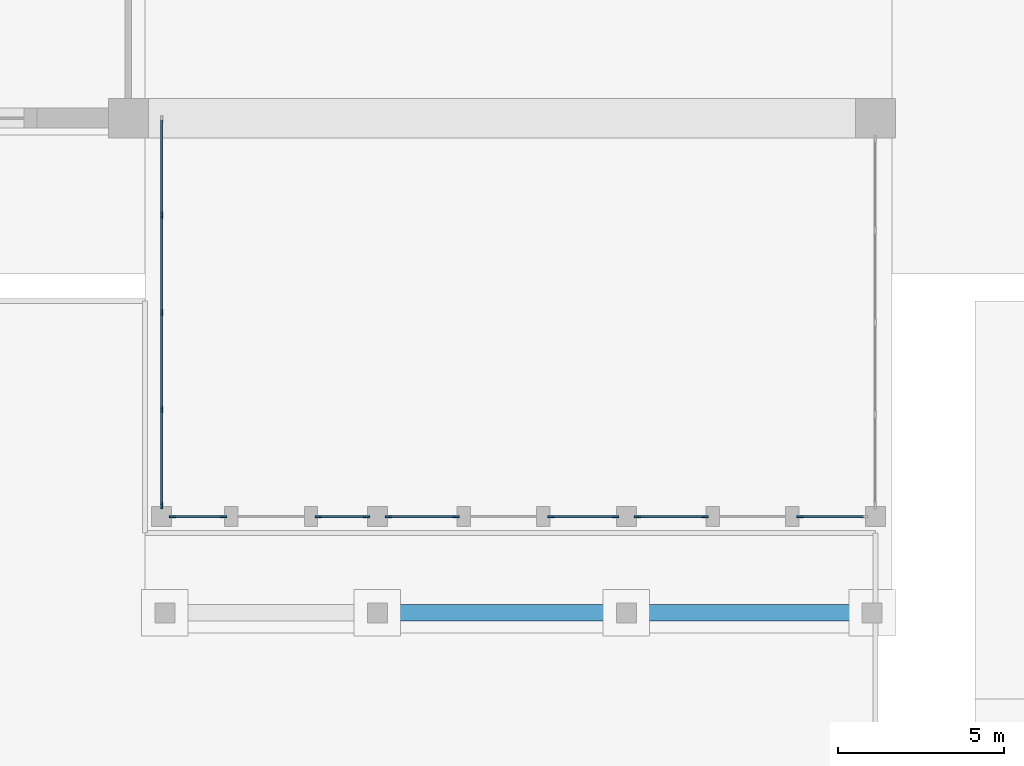
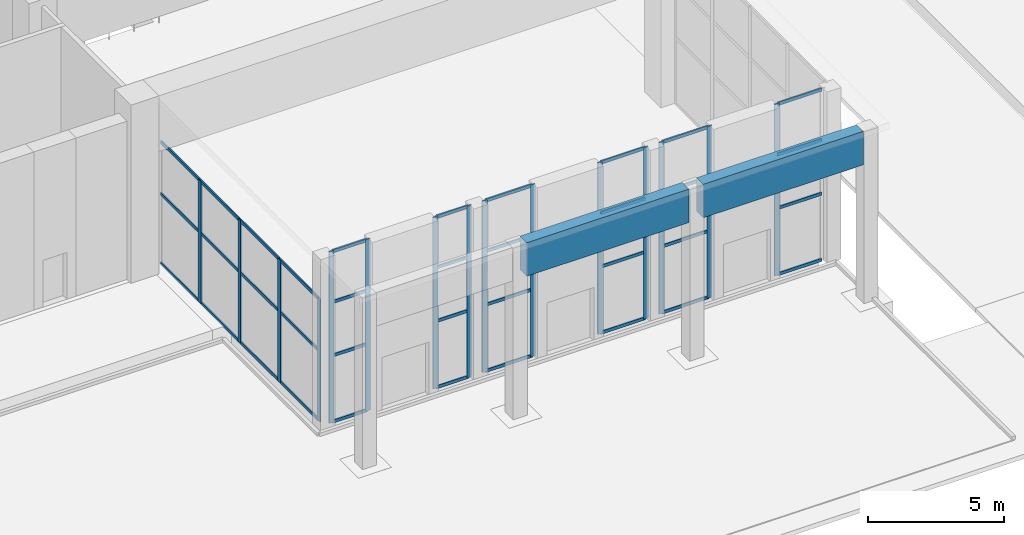
# One storey, part 8 of 57: 51 members, 2 beams, 7 elements without a shape of their own.
"""IFC4 building model written with IfcOpenShell, lengths in metres."""

from ifc_helpers import new_model, si_unit, direction, frame, origin, origin_2d, place, context, subcontext, project, spatial, rectangle, extrude, material, layer, layer_set, material_profile, profile_set, type_object, element, aggregate, save


model = new_model("IFC4")

# Units and contexts
model_context = context("Model", 3, precision=1e-05, world=origin(), true_north=direction((0.0, 1.0)))
body_context = subcontext(model_context, "Body", "Model", "MODEL_VIEW")
ifc_project = project(units=[si_unit("LENGTHUNIT", "METRE"), si_unit("AREAUNIT", "SQUARE_METRE"), si_unit("VOLUMEUNIT", "CUBIC_METRE"), si_unit("PLANEANGLEUNIT", "RADIAN"), si_unit("MASSUNIT", "GRAM", prefix="KILO")], contexts=[model_context])

# Site, building, storey
site_placement = place(None, origin())
site = spatial("IfcSite", under=ifc_project, at=site_placement, CompositionType="ELEMENT")
building_placement = place(site_placement, origin())
building = spatial("IfcBuilding", under=site, at=building_placement, Name="Tamorin Gate", CompositionType="ELEMENT")
storey_placement = place(building_placement, origin())
storey = spatial("IfcBuildingStorey", under=building, at=storey_placement, Name="L00", CompositionType="ELEMENT", Elevation=0.0)

# Curtain wall, members
ifc_material_1 = material(Name="Aluminium and glass", Category="aluminium")
ifc_layer = layer(ifc_material_1, 0.199951171875)
ifc_layer_set = layer_set([ifc_layer], Name="Station pavilion glazing system")
curtain_wall_type = type_object("IfcCurtainWallType", Name="Station pavilion glazing system", PredefinedType="NOTDEFINED", material=ifc_layer_set)
curtain_wall_1_placement = place(storey_placement, origin())
curtain_wall_1 = element("IfcCurtainWall", 1, at=curtain_wall_1_placement, inside=storey, type_object=curtain_wall_type, Name="Station pavilion glazing system L00", PredefinedType="NOTDEFINED")
ifc_material_2 = material(Name="Aluminium", Category="aluminium")
ifc_material_profile_1 = material_profile(ifc_material_2, rectangle(XDim=0.06005859375, YDim=0.199951171875, at=origin_2d()), Name="RECT 60x200")
ifc_profile_set_1 = profile_set([ifc_material_profile_1], Name="Aluminium")
member_type_1 = type_object("IfcMemberType", Name="Pavilion mullion 60x200", PredefinedType="MULLION", material=ifc_profile_set_1)
member_1_placement = place(storey_placement, frame((90.830078125, 18.5, 0.0), z_axis=(0.0, 0.0, 1.0), x_axis=(0.0, 1.0, 0.0)))
member_1 = element("IfcMember", 2, at=member_1_placement, type_object=member_type_1, Name="CWP12 mullion 1", PredefinedType="MULLION", context=body_context, shape_type="SweptSolid", body=[
    extrude(rectangle(XDim=0.06005859375, YDim=0.199951171875, at=origin_2d()), origin(), (0.0, 0.0, 1.0), 7.699951171875),
])
member_2_placement = place(storey_placement, frame((92.3701171875, 18.5, 0.0), z_axis=(0.0, 0.0, 1.0), x_axis=(0.0, 1.0, 0.0)))
member_2 = element("IfcMember", 3, at=member_2_placement, type_object=member_type_1, Name="CWP12 mullion 2", PredefinedType="MULLION", context=body_context, shape_type="SweptSolid", body=[
    extrude(rectangle(XDim=0.06005859375, YDim=0.199951171875, at=origin_2d()), origin(), (0.0, 0.0, 1.0), 7.699951171875),
])

curtain_wall_2_placement = place(storey_placement, origin())
curtain_wall_2 = element("IfcCurtainWall", 4, at=curtain_wall_2_placement, inside=storey, type_object=curtain_wall_type, Name="Station pavilion glazing system L00", PredefinedType="NOTDEFINED")
member_3_placement = place(storey_placement, frame((95.22998046875, 18.5, 0.0), z_axis=(0.0, 0.0, 1.0), x_axis=(0.0, 1.0, 0.0)))
member_3 = element("IfcMember", 5, at=member_3_placement, type_object=member_type_1, Name="CWP12 mullion 1", PredefinedType="MULLION", context=body_context, shape_type="SweptSolid", body=[
    extrude(rectangle(XDim=0.06005859375, YDim=0.199951171875, at=origin_2d()), origin(), (0.0, 0.0, 1.0), 7.699951171875),
])
member_4_placement = place(storey_placement, frame((96.669921875, 18.5, 0.0), z_axis=(0.0, 0.0, 1.0), x_axis=(0.0, 1.0, 0.0)))
member_4 = element("IfcMember", 6, at=member_4_placement, type_object=member_type_1, Name="CWP12 mullion 2", PredefinedType="MULLION", context=body_context, shape_type="SweptSolid", body=[
    extrude(rectangle(XDim=0.06005859375, YDim=0.199951171875, at=origin_2d()), origin(), (0.0, 0.0, 1.0), 7.699951171875),
])

curtain_wall_3_placement = place(storey_placement, origin())
curtain_wall_3 = element("IfcCurtainWall", 7, at=curtain_wall_3_placement, inside=storey, type_object=curtain_wall_type, Name="Station pavilion glazing system L00", PredefinedType="NOTDEFINED")
member_5_placement = place(storey_placement, frame((97.330078125, 18.5, 0.0), z_axis=(0.0, 0.0, 1.0), x_axis=(0.0, 1.0, 0.0)))
member_5 = element("IfcMember", 8, at=member_5_placement, type_object=member_type_1, Name="CWP12 mullion 1", PredefinedType="MULLION", context=body_context, shape_type="SweptSolid", body=[
    extrude(rectangle(XDim=0.06005859375, YDim=0.199951171875, at=origin_2d()), origin(), (0.0, 0.0, 1.0), 7.699951171875),
])
member_6_placement = place(storey_placement, frame((99.3701171875, 18.5, 0.0), z_axis=(0.0, 0.0, 1.0), x_axis=(0.0, 1.0, 0.0)))
member_6 = element("IfcMember", 9, at=member_6_placement, type_object=member_type_1, Name="CWP12 mullion 2", PredefinedType="MULLION", context=body_context, shape_type="SweptSolid", body=[
    extrude(rectangle(XDim=0.06005859375, YDim=0.199951171875, at=origin_2d()), origin(), (0.0, 0.0, 1.0), 7.699951171875),
])

curtain_wall_4_placement = place(storey_placement, origin())
curtain_wall_4 = element("IfcCurtainWall", 10, at=curtain_wall_4_placement, inside=storey, type_object=curtain_wall_type, Name="Station pavilion glazing system L00", PredefinedType="NOTDEFINED")
member_7_placement = place(storey_placement, frame((102.22998046875, 18.5, 0.0), z_axis=(0.0, 0.0, 1.0), x_axis=(0.0, 1.0, 0.0)))
member_7 = element("IfcMember", 11, at=member_7_placement, type_object=member_type_1, Name="CWP12 mullion 1", PredefinedType="MULLION", context=body_context, shape_type="SweptSolid", body=[
    extrude(rectangle(XDim=0.06005859375, YDim=0.199951171875, at=origin_2d()), origin(), (0.0, 0.0, 1.0), 7.699951171875),
])
member_8_placement = place(storey_placement, frame((104.169921875, 18.5, 0.0), z_axis=(0.0, 0.0, 1.0), x_axis=(0.0, 1.0, 0.0)))
member_8 = element("IfcMember", 12, at=member_8_placement, type_object=member_type_1, Name="CWP12 mullion 2", PredefinedType="MULLION", context=body_context, shape_type="SweptSolid", body=[
    extrude(rectangle(XDim=0.06005859375, YDim=0.199951171875, at=origin_2d()), origin(), (0.0, 0.0, 1.0), 7.699951171875),
])

curtain_wall_5_placement = place(storey_placement, origin())
curtain_wall_5 = element("IfcCurtainWall", 13, at=curtain_wall_5_placement, inside=storey, type_object=curtain_wall_type, Name="Station pavilion glazing system L00", PredefinedType="NOTDEFINED")
member_9_placement = place(storey_placement, frame((104.830078125, 18.5, 0.0), z_axis=(0.0, 0.0, 1.0), x_axis=(0.0, 1.0, 0.0)))
member_9 = element("IfcMember", 14, at=member_9_placement, type_object=member_type_1, Name="CWP12 mullion 1", PredefinedType="MULLION", context=body_context, shape_type="SweptSolid", body=[
    extrude(rectangle(XDim=0.06005859375, YDim=0.199951171875, at=origin_2d()), origin(), (0.0, 0.0, 1.0), 7.699951171875),
])
member_10_placement = place(storey_placement, frame((106.8701171875, 18.5, 0.0), z_axis=(0.0, 0.0, 1.0), x_axis=(0.0, 1.0, 0.0)))
member_10 = element("IfcMember", 15, at=member_10_placement, type_object=member_type_1, Name="CWP12 mullion 2", PredefinedType="MULLION", context=body_context, shape_type="SweptSolid", body=[
    extrude(rectangle(XDim=0.06005859375, YDim=0.199951171875, at=origin_2d()), origin(), (0.0, 0.0, 1.0), 7.699951171875),
])

# Curtain wall, member
curtain_wall_6_placement = place(storey_placement, origin())
curtain_wall_6 = element("IfcCurtainWall", 16, at=curtain_wall_6_placement, inside=storey, type_object=curtain_wall_type, Name="Station pavilion glazing system L00", PredefinedType="NOTDEFINED")
member_11_placement = place(storey_placement, frame((109.72998046875, 18.5, 0.0), z_axis=(0.0, 0.0, 1.0), x_axis=(0.0, 1.0, 0.0)))
member_11 = element("IfcMember", 17, at=member_11_placement, type_object=member_type_1, Name="CWP12 mullion 1", PredefinedType="MULLION", context=body_context, shape_type="SweptSolid", body=[
    extrude(rectangle(XDim=0.06005859375, YDim=0.199951171875, at=origin_2d()), origin(), (0.0, 0.0, 1.0), 7.699951171875),
])

# Curtain wall, members
curtain_wall_7_placement = place(storey_placement, origin())
curtain_wall_7 = element("IfcCurtainWall", 18, at=curtain_wall_7_placement, inside=storey, type_object=curtain_wall_type, Name="Station pavilion glazing system L00", PredefinedType="NOTDEFINED")
member_12_placement = place(storey_placement, frame((90.5, 18.830078125, 0.0), z_axis=(0.0, 0.0, 1.0), x_axis=(-1.0, 0.0, 0.0)))
member_12 = element("IfcMember", 19, at=member_12_placement, type_object=member_type_1, Name="CWP12 mullion 1", PredefinedType="MULLION", context=body_context, shape_type="SweptSolid", body=[
    extrude(rectangle(XDim=0.06005859375, YDim=0.199951171875, at=origin_2d()), origin(), (0.0, 0.0, 1.0), 5.5),
])
member_13_placement = place(storey_placement, frame((90.5, 21.72509765625, 0.0), z_axis=(0.0, 0.0, 1.0), x_axis=(-1.0, 0.0, 0.0)))
member_13 = element("IfcMember", 20, at=member_13_placement, type_object=member_type_1, Name="CWP12 mullion 2", PredefinedType="MULLION", context=body_context, shape_type="SweptSolid", body=[
    extrude(rectangle(XDim=0.06005859375, YDim=0.199951171875, at=origin_2d()), origin(), (0.0, 0.0, 1.0), 5.5),
])
member_14_placement = place(storey_placement, frame((90.5, 24.64990234375, 0.0), z_axis=(0.0, 0.0, 1.0), x_axis=(-1.0, 0.0, 0.0)))
member_14 = element("IfcMember", 21, at=member_14_placement, type_object=member_type_1, Name="CWP12 mullion 3", PredefinedType="MULLION", context=body_context, shape_type="SweptSolid", body=[
    extrude(rectangle(XDim=0.06005859375, YDim=0.199951171875, at=origin_2d()), origin(), (0.0, 0.0, 1.0), 5.5),
])
member_15_placement = place(storey_placement, frame((90.5, 27.574951171875, 0.0), z_axis=(0.0, 0.0, 1.0), x_axis=(-1.0, 0.0, 0.0)))
member_15 = element("IfcMember", 22, at=member_15_placement, type_object=member_type_1, Name="CWP12 mullion 4", PredefinedType="MULLION", context=body_context, shape_type="SweptSolid", body=[
    extrude(rectangle(XDim=0.06005859375, YDim=0.199951171875, at=origin_2d()), origin(), (0.0, 0.0, 1.0), 5.5),
])

# Member
ifc_material_profile_2 = material_profile(ifc_material_2, rectangle(XDim=0.06005859375, YDim=0.139892578125, at=origin_2d()), Name="RECT 60x140")
ifc_profile_set_2 = profile_set([ifc_material_profile_2], Name="Aluminium")
member_type_2 = type_object("IfcMemberType", Name="Pavilion transom 60x140", PredefinedType="USERDEFINED", material=ifc_profile_set_2)
member_16_placement = place(storey_placement, frame((90.860107421875, 18.5, 0.030029296875), z_axis=(1.0, 0.0, 0.0), x_axis=(0.0, 1.0, 0.0)))
member_16 = element("IfcMember", 23, at=member_16_placement, type_object=member_type_2, Name="CWP12 transom 1.1", ObjectType="TRANSOM", PredefinedType="USERDEFINED", context=body_context, shape_type="SweptSolid", body=[
    extrude(rectangle(XDim=0.06005859375, YDim=0.139892578125, at=origin_2d()), origin(), (0.0, 0.0, 1.0), 1.47998046875),
])

member_17_placement = place(storey_placement, frame((90.860107421875, 18.5, 3.0), z_axis=(1.0, 0.0, 0.0), x_axis=(0.0, 1.0, 0.0)))
member_17 = element("IfcMember", 24, at=member_17_placement, type_object=member_type_2, Name="CWP12 transom 1.2", ObjectType="TRANSOM", PredefinedType="USERDEFINED", context=body_context, shape_type="SweptSolid", body=[
    extrude(rectangle(XDim=0.06005859375, YDim=0.139892578125, at=origin_2d()), origin(), (0.0, 0.0, 1.0), 1.47998046875),
])

member_18_placement = place(storey_placement, frame((90.860107421875, 18.5, 5.39990234375), z_axis=(1.0, 0.0, 0.0), x_axis=(0.0, 1.0, 0.0)))
member_18 = element("IfcMember", 25, at=member_18_placement, type_object=member_type_2, Name="CWP12 transom 1.3", ObjectType="TRANSOM", PredefinedType="USERDEFINED", context=body_context, shape_type="SweptSolid", body=[
    extrude(rectangle(XDim=0.06005859375, YDim=0.139892578125, at=origin_2d()), origin(), (0.0, 0.0, 1.0), 1.47998046875),
])

member_19_placement = place(storey_placement, frame((90.860107421875, 18.5, 7.669921875), z_axis=(1.0, 0.0, 0.0), x_axis=(0.0, 1.0, 0.0)))
member_19 = element("IfcMember", 26, at=member_19_placement, type_object=member_type_2, Name="CWP12 transom 1.4", ObjectType="TRANSOM", PredefinedType="USERDEFINED", context=body_context, shape_type="SweptSolid", body=[
    extrude(rectangle(XDim=0.06005859375, YDim=0.139892578125, at=origin_2d()), origin(), (0.0, 0.0, 1.0), 1.47998046875),
])

aggregate(curtain_wall_1, [member_1, member_2, member_16, member_17, member_18, member_19])

member_20_placement = place(storey_placement, frame((95.260009765625, 18.5, 0.030029296875), z_axis=(1.0, 0.0, 0.0), x_axis=(0.0, 1.0, 0.0)))
member_20 = element("IfcMember", 27, at=member_20_placement, type_object=member_type_2, Name="CWP12 transom 1.1", ObjectType="TRANSOM", PredefinedType="USERDEFINED", context=body_context, shape_type="SweptSolid", body=[
    extrude(rectangle(XDim=0.06005859375, YDim=0.139892578125, at=origin_2d()), origin(), (0.0, 0.0, 1.0), 1.3798828125),
])

member_21_placement = place(storey_placement, frame((95.260009765625, 18.5, 3.0), z_axis=(1.0, 0.0, 0.0), x_axis=(0.0, 1.0, 0.0)))
member_21 = element("IfcMember", 28, at=member_21_placement, type_object=member_type_2, Name="CWP12 transom 1.2", ObjectType="TRANSOM", PredefinedType="USERDEFINED", context=body_context, shape_type="SweptSolid", body=[
    extrude(rectangle(XDim=0.06005859375, YDim=0.139892578125, at=origin_2d()), origin(), (0.0, 0.0, 1.0), 1.3798828125),
])

member_22_placement = place(storey_placement, frame((95.260009765625, 18.5, 5.39990234375), z_axis=(1.0, 0.0, 0.0), x_axis=(0.0, 1.0, 0.0)))
member_22 = element("IfcMember", 29, at=member_22_placement, type_object=member_type_2, Name="CWP12 transom 1.3", ObjectType="TRANSOM", PredefinedType="USERDEFINED", context=body_context, shape_type="SweptSolid", body=[
    extrude(rectangle(XDim=0.06005859375, YDim=0.139892578125, at=origin_2d()), origin(), (0.0, 0.0, 1.0), 1.3798828125),
])

member_23_placement = place(storey_placement, frame((95.260009765625, 18.5, 7.669921875), z_axis=(1.0, 0.0, 0.0), x_axis=(0.0, 1.0, 0.0)))
member_23 = element("IfcMember", 30, at=member_23_placement, type_object=member_type_2, Name="CWP12 transom 1.4", ObjectType="TRANSOM", PredefinedType="USERDEFINED", context=body_context, shape_type="SweptSolid", body=[
    extrude(rectangle(XDim=0.06005859375, YDim=0.139892578125, at=origin_2d()), origin(), (0.0, 0.0, 1.0), 1.3798828125),
])

aggregate(curtain_wall_2, [member_3, member_4, member_20, member_21, member_22, member_23])

member_24_placement = place(storey_placement, frame((97.360107421875, 18.5, 0.030029296875), z_axis=(1.0, 0.0, 0.0), x_axis=(0.0, 1.0, 0.0)))
member_24 = element("IfcMember", 31, at=member_24_placement, type_object=member_type_2, Name="CWP12 transom 1.1", ObjectType="TRANSOM", PredefinedType="USERDEFINED", context=body_context, shape_type="SweptSolid", body=[
    extrude(rectangle(XDim=0.06005859375, YDim=0.139892578125, at=origin_2d()), origin(), (0.0, 0.0, 1.0), 1.97998046875),
])

member_25_placement = place(storey_placement, frame((97.360107421875, 18.5, 3.0), z_axis=(1.0, 0.0, 0.0), x_axis=(0.0, 1.0, 0.0)))
member_25 = element("IfcMember", 32, at=member_25_placement, type_object=member_type_2, Name="CWP12 transom 1.2", ObjectType="TRANSOM", PredefinedType="USERDEFINED", context=body_context, shape_type="SweptSolid", body=[
    extrude(rectangle(XDim=0.06005859375, YDim=0.139892578125, at=origin_2d()), origin(), (0.0, 0.0, 1.0), 1.97998046875),
])

member_26_placement = place(storey_placement, frame((97.360107421875, 18.5, 5.39990234375), z_axis=(1.0, 0.0, 0.0), x_axis=(0.0, 1.0, 0.0)))
member_26 = element("IfcMember", 33, at=member_26_placement, type_object=member_type_2, Name="CWP12 transom 1.3", ObjectType="TRANSOM", PredefinedType="USERDEFINED", context=body_context, shape_type="SweptSolid", body=[
    extrude(rectangle(XDim=0.06005859375, YDim=0.139892578125, at=origin_2d()), origin(), (0.0, 0.0, 1.0), 1.97998046875),
])

member_27_placement = place(storey_placement, frame((97.360107421875, 18.5, 7.669921875), z_axis=(1.0, 0.0, 0.0), x_axis=(0.0, 1.0, 0.0)))
member_27 = element("IfcMember", 34, at=member_27_placement, type_object=member_type_2, Name="CWP12 transom 1.4", ObjectType="TRANSOM", PredefinedType="USERDEFINED", context=body_context, shape_type="SweptSolid", body=[
    extrude(rectangle(XDim=0.06005859375, YDim=0.139892578125, at=origin_2d()), origin(), (0.0, 0.0, 1.0), 1.97998046875),
])

aggregate(curtain_wall_3, [member_5, member_6, member_24, member_25, member_26, member_27])

member_28_placement = place(storey_placement, frame((102.260009765625, 18.5, 0.030029296875), z_axis=(1.0, 0.0, 0.0), x_axis=(0.0, 1.0, 0.0)))
member_28 = element("IfcMember", 35, at=member_28_placement, type_object=member_type_2, Name="CWP12 transom 1.1", ObjectType="TRANSOM", PredefinedType="USERDEFINED", context=body_context, shape_type="SweptSolid", body=[
    extrude(rectangle(XDim=0.06005859375, YDim=0.139892578125, at=origin_2d()), origin(), (0.0, 0.0, 1.0), 1.8798828125),
])

member_29_placement = place(storey_placement, frame((102.260009765625, 18.5, 3.0), z_axis=(1.0, 0.0, 0.0), x_axis=(0.0, 1.0, 0.0)))
member_29 = element("IfcMember", 36, at=member_29_placement, type_object=member_type_2, Name="CWP12 transom 1.2", ObjectType="TRANSOM", PredefinedType="USERDEFINED", context=body_context, shape_type="SweptSolid", body=[
    extrude(rectangle(XDim=0.06005859375, YDim=0.139892578125, at=origin_2d()), origin(), (0.0, 0.0, 1.0), 1.8798828125),
])

member_30_placement = place(storey_placement, frame((102.260009765625, 18.5, 5.39990234375), z_axis=(1.0, 0.0, 0.0), x_axis=(0.0, 1.0, 0.0)))
member_30 = element("IfcMember", 37, at=member_30_placement, type_object=member_type_2, Name="CWP12 transom 1.3", ObjectType="TRANSOM", PredefinedType="USERDEFINED", context=body_context, shape_type="SweptSolid", body=[
    extrude(rectangle(XDim=0.06005859375, YDim=0.139892578125, at=origin_2d()), origin(), (0.0, 0.0, 1.0), 1.8798828125),
])

member_31_placement = place(storey_placement, frame((102.260009765625, 18.5, 7.669921875), z_axis=(1.0, 0.0, 0.0), x_axis=(0.0, 1.0, 0.0)))
member_31 = element("IfcMember", 38, at=member_31_placement, type_object=member_type_2, Name="CWP12 transom 1.4", ObjectType="TRANSOM", PredefinedType="USERDEFINED", context=body_context, shape_type="SweptSolid", body=[
    extrude(rectangle(XDim=0.06005859375, YDim=0.139892578125, at=origin_2d()), origin(), (0.0, 0.0, 1.0), 1.8798828125),
])

aggregate(curtain_wall_4, [member_7, member_8, member_28, member_29, member_30, member_31])

member_32_placement = place(storey_placement, frame((104.860107421875, 18.5, 0.030029296875), z_axis=(1.0, 0.0, 0.0), x_axis=(0.0, 1.0, 0.0)))
member_32 = element("IfcMember", 39, at=member_32_placement, type_object=member_type_2, Name="CWP12 transom 1.1", ObjectType="TRANSOM", PredefinedType="USERDEFINED", context=body_context, shape_type="SweptSolid", body=[
    extrude(rectangle(XDim=0.06005859375, YDim=0.139892578125, at=origin_2d()), origin(), (0.0, 0.0, 1.0), 1.97998046875),
])

member_33_placement = place(storey_placement, frame((104.860107421875, 18.5, 3.0), z_axis=(1.0, 0.0, 0.0), x_axis=(0.0, 1.0, 0.0)))
member_33 = element("IfcMember", 40, at=member_33_placement, type_object=member_type_2, Name="CWP12 transom 1.2", ObjectType="TRANSOM", PredefinedType="USERDEFINED", context=body_context, shape_type="SweptSolid", body=[
    extrude(rectangle(XDim=0.06005859375, YDim=0.139892578125, at=origin_2d()), origin(), (0.0, 0.0, 1.0), 1.97998046875),
])

member_34_placement = place(storey_placement, frame((104.860107421875, 18.5, 5.39990234375), z_axis=(1.0, 0.0, 0.0), x_axis=(0.0, 1.0, 0.0)))
member_34 = element("IfcMember", 41, at=member_34_placement, type_object=member_type_2, Name="CWP12 transom 1.3", ObjectType="TRANSOM", PredefinedType="USERDEFINED", context=body_context, shape_type="SweptSolid", body=[
    extrude(rectangle(XDim=0.06005859375, YDim=0.139892578125, at=origin_2d()), origin(), (0.0, 0.0, 1.0), 1.97998046875),
])

member_35_placement = place(storey_placement, frame((104.860107421875, 18.5, 7.669921875), z_axis=(1.0, 0.0, 0.0), x_axis=(0.0, 1.0, 0.0)))
member_35 = element("IfcMember", 42, at=member_35_placement, type_object=member_type_2, Name="CWP12 transom 1.4", ObjectType="TRANSOM", PredefinedType="USERDEFINED", context=body_context, shape_type="SweptSolid", body=[
    extrude(rectangle(XDim=0.06005859375, YDim=0.139892578125, at=origin_2d()), origin(), (0.0, 0.0, 1.0), 1.97998046875),
])

aggregate(curtain_wall_5, [member_9, member_10, member_32, member_33, member_34, member_35])

member_36_placement = place(storey_placement, frame((109.760009765625, 18.5, 0.030029296875), z_axis=(1.0, 0.0, 0.0), x_axis=(0.0, 1.0, 0.0)))
member_36 = element("IfcMember", 43, at=member_36_placement, type_object=member_type_2, Name="CWP12 transom 1.1", ObjectType="TRANSOM", PredefinedType="USERDEFINED", context=body_context, shape_type="SweptSolid", body=[
    extrude(rectangle(XDim=0.06005859375, YDim=0.139892578125, at=origin_2d()), origin(), (0.0, 0.0, 1.0), 1.8798828125),
])

member_37_placement = place(storey_placement, frame((109.760009765625, 18.5, 3.0), z_axis=(1.0, 0.0, 0.0), x_axis=(0.0, 1.0, 0.0)))
member_37 = element("IfcMember", 44, at=member_37_placement, type_object=member_type_2, Name="CWP12 transom 1.2", ObjectType="TRANSOM", PredefinedType="USERDEFINED", context=body_context, shape_type="SweptSolid", body=[
    extrude(rectangle(XDim=0.06005859375, YDim=0.139892578125, at=origin_2d()), origin(), (0.0, 0.0, 1.0), 1.8798828125),
])

member_38_placement = place(storey_placement, frame((109.760009765625, 18.5, 5.39990234375), z_axis=(1.0, 0.0, 0.0), x_axis=(0.0, 1.0, 0.0)))
member_38 = element("IfcMember", 45, at=member_38_placement, type_object=member_type_2, Name="CWP12 transom 1.3", ObjectType="TRANSOM", PredefinedType="USERDEFINED", context=body_context, shape_type="SweptSolid", body=[
    extrude(rectangle(XDim=0.06005859375, YDim=0.139892578125, at=origin_2d()), origin(), (0.0, 0.0, 1.0), 1.8798828125),
])

member_39_placement = place(storey_placement, frame((109.760009765625, 18.5, 7.669921875), z_axis=(1.0, 0.0, 0.0), x_axis=(0.0, 1.0, 0.0)))
member_39 = element("IfcMember", 46, at=member_39_placement, type_object=member_type_2, Name="CWP12 transom 1.4", ObjectType="TRANSOM", PredefinedType="USERDEFINED", context=body_context, shape_type="SweptSolid", body=[
    extrude(rectangle(XDim=0.06005859375, YDim=0.139892578125, at=origin_2d()), origin(), (0.0, 0.0, 1.0), 1.8798828125),
])

aggregate(curtain_wall_6, [member_11, member_36, member_37, member_38, member_39])

member_40_placement = place(storey_placement, frame((90.5, 18.860107421875, 0.030029296875), z_axis=(0.0, 1.0, 0.0), x_axis=(-1.0, 0.0, 0.0)))
member_40 = element("IfcMember", 47, at=member_40_placement, type_object=member_type_2, Name="CWP12 transom 1.1", ObjectType="TRANSOM", PredefinedType="USERDEFINED", context=body_context, shape_type="SweptSolid", body=[
    extrude(rectangle(XDim=0.06005859375, YDim=0.139892578125, at=origin_2d()), origin(), (0.0, 0.0, 1.0), 2.8349609375),
])

member_41_placement = place(storey_placement, frame((90.5, 18.860107421875, 3.14990234375), z_axis=(0.0, 1.0, 0.0), x_axis=(-1.0, 0.0, 0.0)))
member_41 = element("IfcMember", 48, at=member_41_placement, type_object=member_type_2, Name="CWP12 transom 1.2", ObjectType="TRANSOM", PredefinedType="USERDEFINED", context=body_context, shape_type="SweptSolid", body=[
    extrude(rectangle(XDim=0.06005859375, YDim=0.139892578125, at=origin_2d()), origin(), (0.0, 0.0, 1.0), 2.8349609375),
])

member_42_placement = place(storey_placement, frame((90.5, 18.860107421875, 5.469970703125), z_axis=(0.0, 1.0, 0.0), x_axis=(-1.0, 0.0, 0.0)))
member_42 = element("IfcMember", 49, at=member_42_placement, type_object=member_type_2, Name="CWP12 transom 1.3", ObjectType="TRANSOM", PredefinedType="USERDEFINED", context=body_context, shape_type="SweptSolid", body=[
    extrude(rectangle(XDim=0.06005859375, YDim=0.139892578125, at=origin_2d()), origin(), (0.0, 0.0, 1.0), 2.8349609375),
])

member_43_placement = place(storey_placement, frame((90.5, 21.7548828125, 0.030029296875), z_axis=(0.0, 1.0, 0.0), x_axis=(-1.0, 0.0, 0.0)))
member_43 = element("IfcMember", 50, at=member_43_placement, type_object=member_type_2, Name="CWP12 transom 2.1", ObjectType="TRANSOM", PredefinedType="USERDEFINED", context=body_context, shape_type="SweptSolid", body=[
    extrude(rectangle(XDim=0.06005859375, YDim=0.139892578125, at=origin_2d()), origin(), (0.0, 0.0, 1.0), 2.865234375),
])

member_44_placement = place(storey_placement, frame((90.5, 21.7548828125, 3.14990234375), z_axis=(0.0, 1.0, 0.0), x_axis=(-1.0, 0.0, 0.0)))
member_44 = element("IfcMember", 51, at=member_44_placement, type_object=member_type_2, Name="CWP12 transom 2.2", ObjectType="TRANSOM", PredefinedType="USERDEFINED", context=body_context, shape_type="SweptSolid", body=[
    extrude(rectangle(XDim=0.06005859375, YDim=0.139892578125, at=origin_2d()), origin(), (0.0, 0.0, 1.0), 2.865234375),
])

member_45_placement = place(storey_placement, frame((90.5, 21.7548828125, 5.469970703125), z_axis=(0.0, 1.0, 0.0), x_axis=(-1.0, 0.0, 0.0)))
member_45 = element("IfcMember", 52, at=member_45_placement, type_object=member_type_2, Name="CWP12 transom 2.3", ObjectType="TRANSOM", PredefinedType="USERDEFINED", context=body_context, shape_type="SweptSolid", body=[
    extrude(rectangle(XDim=0.06005859375, YDim=0.139892578125, at=origin_2d()), origin(), (0.0, 0.0, 1.0), 2.865234375),
])

member_46_placement = place(storey_placement, frame((90.5, 24.679931640625, 0.030029296875), z_axis=(0.0, 1.0, 0.0), x_axis=(-1.0, 0.0, 0.0)))
member_46 = element("IfcMember", 53, at=member_46_placement, type_object=member_type_2, Name="CWP12 transom 3.1", ObjectType="TRANSOM", PredefinedType="USERDEFINED", context=body_context, shape_type="SweptSolid", body=[
    extrude(rectangle(XDim=0.06005859375, YDim=0.139892578125, at=origin_2d()), origin(), (0.0, 0.0, 1.0), 2.864990234375),
])

member_47_placement = place(storey_placement, frame((90.5, 24.679931640625, 3.14990234375), z_axis=(0.0, 1.0, 0.0), x_axis=(-1.0, 0.0, 0.0)))
member_47 = element("IfcMember", 54, at=member_47_placement, type_object=member_type_2, Name="CWP12 transom 3.2", ObjectType="TRANSOM", PredefinedType="USERDEFINED", context=body_context, shape_type="SweptSolid", body=[
    extrude(rectangle(XDim=0.06005859375, YDim=0.139892578125, at=origin_2d()), origin(), (0.0, 0.0, 1.0), 2.864990234375),
])

member_48_placement = place(storey_placement, frame((90.5, 24.679931640625, 5.469970703125), z_axis=(0.0, 1.0, 0.0), x_axis=(-1.0, 0.0, 0.0)))
member_48 = element("IfcMember", 55, at=member_48_placement, type_object=member_type_2, Name="CWP12 transom 3.3", ObjectType="TRANSOM", PredefinedType="USERDEFINED", context=body_context, shape_type="SweptSolid", body=[
    extrude(rectangle(XDim=0.06005859375, YDim=0.139892578125, at=origin_2d()), origin(), (0.0, 0.0, 1.0), 2.864990234375),
])

member_49_placement = place(storey_placement, frame((90.5, 27.60498046875, 0.030029296875), z_axis=(0.0, 1.0, 0.0), x_axis=(-1.0, 0.0, 0.0)))
member_49 = element("IfcMember", 56, at=member_49_placement, type_object=member_type_2, Name="CWP12 transom 4.1", ObjectType="TRANSOM", PredefinedType="USERDEFINED", context=body_context, shape_type="SweptSolid", body=[
    extrude(rectangle(XDim=0.06005859375, YDim=0.139892578125, at=origin_2d()), origin(), (0.0, 0.0, 1.0), 2.8349609375),
])

member_50_placement = place(storey_placement, frame((90.5, 27.60498046875, 3.14990234375), z_axis=(0.0, 1.0, 0.0), x_axis=(-1.0, 0.0, 0.0)))
member_50 = element("IfcMember", 57, at=member_50_placement, type_object=member_type_2, Name="CWP12 transom 4.2", ObjectType="TRANSOM", PredefinedType="USERDEFINED", context=body_context, shape_type="SweptSolid", body=[
    extrude(rectangle(XDim=0.06005859375, YDim=0.139892578125, at=origin_2d()), origin(), (0.0, 0.0, 1.0), 2.8349609375),
])

member_51_placement = place(storey_placement, frame((90.5, 27.60498046875, 5.469970703125), z_axis=(0.0, 1.0, 0.0), x_axis=(-1.0, 0.0, 0.0)))
member_51 = element("IfcMember", 58, at=member_51_placement, type_object=member_type_2, Name="CWP12 transom 4.3", ObjectType="TRANSOM", PredefinedType="USERDEFINED", context=body_context, shape_type="SweptSolid", body=[
    extrude(rectangle(XDim=0.06005859375, YDim=0.139892578125, at=origin_2d()), origin(), (0.0, 0.0, 1.0), 2.8349609375),
])

aggregate(curtain_wall_7, [member_12, member_13, member_14, member_15, member_40, member_41, member_42, member_43, member_44, member_45, member_46, member_47, member_48, member_49, member_50, member_51])

# Beams
ifc_material_3 = material(Name="Precast concrete C40/50", Category="concrete")
ifc_material_profile_3 = material_profile(ifc_material_3, rectangle(XDim=0.5, YDim=1.5, at=origin_2d()), Name="RC 500x1500")
ifc_profile_set_3 = profile_set([ifc_material_profile_3], Name="Precast concrete C40/50")
beam_type = type_object("IfcBeamType", Name="Portal band beam 500x1500", PredefinedType="BEAM", material=ifc_profile_set_3)
beam_1_placement = place(storey_placement, frame((97.300048828125, 15.60009765625, 6.949951171875), z_axis=(1.0, 0.0, 0.0), x_axis=(0.0, 1.0, 0.0)))
element("IfcBeam", 59, at=beam_1_placement, inside=storey, type_object=beam_type, Name="Station entrance band", PredefinedType="BEAM", context=body_context, shape_type="SweptSolid", body=[
    extrude(rectangle(XDim=0.5, YDim=1.5, at=origin_2d()), origin(), (0.0, 0.0, 1.0), 6.89990234375),
])
beam_2_placement = place(storey_placement, frame((104.800048828125, 15.60009765625, 6.949951171875), z_axis=(1.0, 0.0, 0.0), x_axis=(0.0, 1.0, 0.0)))
element("IfcBeam", 60, at=beam_2_placement, inside=storey, type_object=beam_type, Name="Station entrance band", PredefinedType="BEAM", context=body_context, shape_type="SweptSolid", body=[
    extrude(rectangle(XDim=0.5, YDim=1.5, at=origin_2d()), origin(), (0.0, 0.0, 1.0), 6.800048828125),
])

save(model, "model.ifc")
